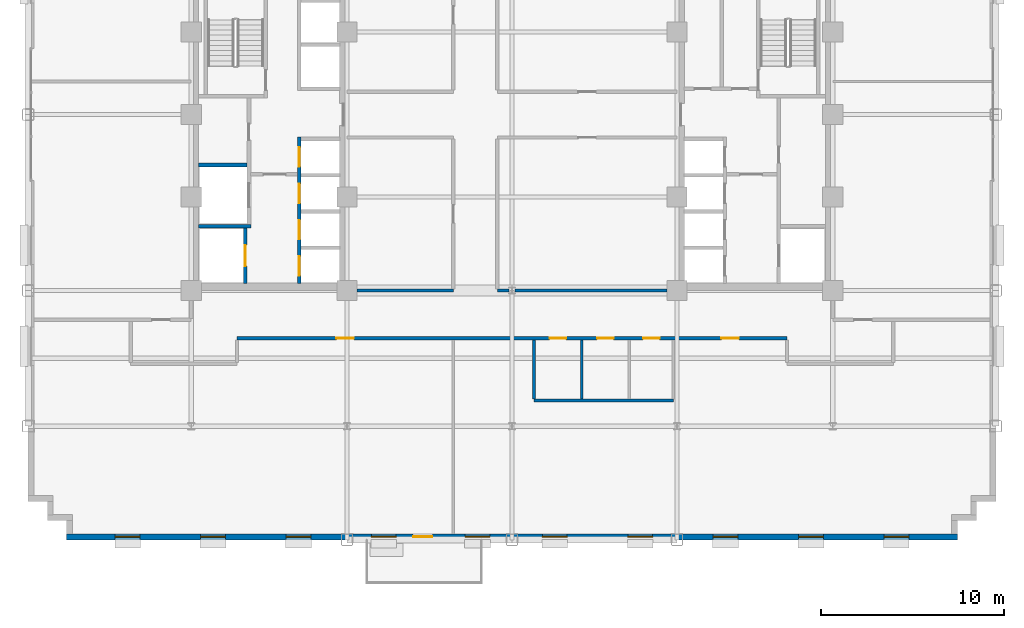
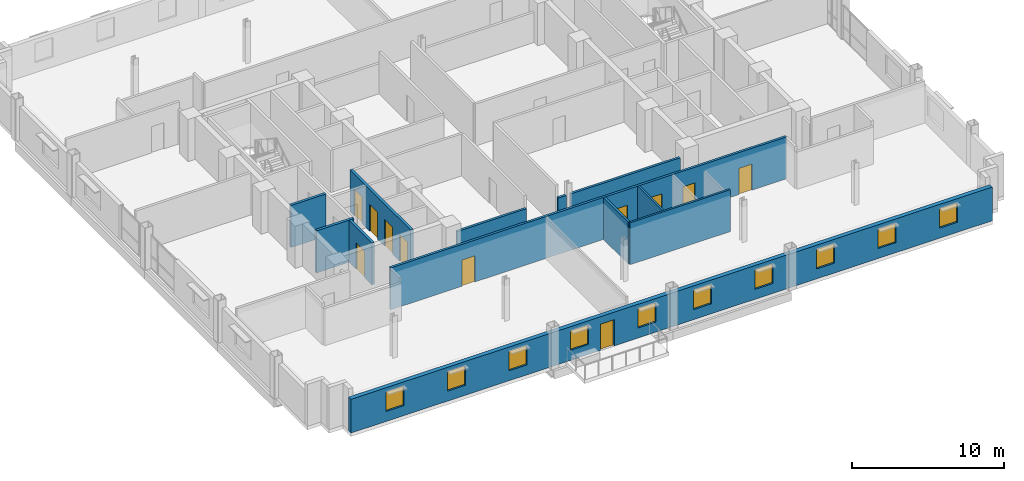
# One storey, part 6 of 17: 12 walls, 11 doors, 10 windows, 21 openings.
"""IFC4 building model written with IfcOpenShell, lengths in metres."""

import ifcopenshell
import ifcopenshell.guid

model = None  # the IFC model being written
_history = None  # IfcOwnerHistory: only IFC2X3 demands one
_inside = {}  # id of a spatial element -> (the spatial element, [elements in it])
_under = {}  # id of a project, library or spatial element -> (it, [spatial elements below it])
_declared = {}  # id of a project -> (the project, [libraries it declares])
_typed = {}  # id of a type object -> (the type object, [elements of that type])
_made_of = {}  # id of a material, layer set ... -> (it, [elements and type objects made of it])


def new_model(schema):
    """Start an empty IFC model of exactly this schema.

    Asked for "IFC4X3", IfcOpenShell would pick the latest addendum, in which some entities
    have other attributes; the version numbers below select the first issue.
    IFC2X3 requires an IfcOwnerHistory on every rooted entity: one is made here for all.
    """
    global model, _history
    if schema == "IFC4X3":
        model = ifcopenshell.file(schema_version=(4, 3, 0, 0))
    else:
        model = ifcopenshell.file(schema=schema)
    _inside.clear()
    _under.clear()
    _declared.clear()
    _typed.clear()
    _made_of.clear()
    _history = None
    if model.schema == "IFC2X3":
        org = make("IfcOrganization", Name="unknown")
        user = make(
            "IfcPersonAndOrganization",
            ThePerson=make("IfcPerson", FamilyName="unknown"),
            TheOrganization=org,
        )
        app = make(
            "IfcApplication",
            ApplicationDeveloper=org,
            Version="unknown",
            ApplicationFullName="unknown",
            ApplicationIdentifier="unknown",
        )
        _history = make(
            "IfcOwnerHistory",
            OwningUser=user,
            OwningApplication=app,
            ChangeAction="ADDED",
            CreationDate=0,
        )
    return model


def make(cls, **values):
    """One entity of the class cls with the attributes given. An attribute that is None is left unset."""
    return model.create_entity(
        cls, **{name: value for name, value in values.items() if value is not None}
    )


def rooted(cls, **values):
    """An entity with a GlobalId (a new one), such as an element, a storey or a relation."""
    return make(cls, GlobalId=ifcopenshell.guid.new(), OwnerHistory=_history, **values)


def si_unit(unit_type, name, prefix=None):
    """IfcSIUnit, for example si_unit("LENGTHUNIT", "METRE", prefix="MILLI")."""
    return make("IfcSIUnit", UnitType=unit_type, Prefix=prefix, Name=name)


def assignment(units):
    """IfcUnitAssignment: the units of a project."""
    return None if units is None else make("IfcUnitAssignment", Units=units)


def point(xyz):
    """IfcCartesianPoint."""
    return None if xyz is None else make("IfcCartesianPoint", Coordinates=xyz)


def direction(xyz):
    """IfcDirection."""
    return None if xyz is None else make("IfcDirection", DirectionRatios=xyz)


def frame(location, z_axis=None, x_axis=None):
    """IfcAxis2Placement3D, a coordinate frame: its origin and axes. An axis left out is left unset."""
    return make(
        "IfcAxis2Placement3D",
        Location=point(location),
        Axis=direction(z_axis),
        RefDirection=direction(x_axis),
    )


def frame_2d(location, x_axis=None):
    """IfcAxis2Placement2D, a coordinate frame in the plane: its origin and x axis."""
    return make(
        "IfcAxis2Placement2D", Location=point(location), RefDirection=direction(x_axis)
    )


def origin():
    """The frame at (0, 0, 0) with its axes left unset."""
    return frame((0.0, 0.0, 0.0))


def place(relative_to, where):
    """IfcLocalPlacement: puts the frame where relative to a parent placement (None: the world)."""
    return make(
        "IfcLocalPlacement", PlacementRelTo=relative_to, RelativePlacement=where
    )


def context(
    kind, dimensions, precision=None, world=None, true_north=None, identifier=None
):
    """IfcGeometricRepresentationContext, for example the 3D "Model" context."""
    return make(
        "IfcGeometricRepresentationContext",
        ContextIdentifier=identifier,
        ContextType=kind,
        CoordinateSpaceDimension=dimensions,
        Precision=precision,
        WorldCoordinateSystem=world,
        TrueNorth=true_north,
    )


def subcontext(parent, identifier, kind, view, scale=None):
    """IfcGeometricRepresentationSubContext, for example "Body" below "Model"."""
    return make(
        "IfcGeometricRepresentationSubContext",
        ContextIdentifier=identifier,
        ContextType=kind,
        ParentContext=parent,
        TargetScale=scale,
        TargetView=view,
    )


def project(units=None, contexts=None):
    """IfcProject with its units and contexts."""
    return rooted(
        "IfcProject",
        Name="project",
        RepresentationContexts=contexts,
        UnitsInContext=assignment(units),
    )


def spatial(cls, under=None, at=None, **own):
    """A site, building, storey or space (cls), placed at a placement, below another one or the project."""
    s = rooted(cls, ObjectPlacement=at, **own)
    if under is not None:
        _under.setdefault(under.id(), (under, []))[1].append(s)
    return s


def profile(cls, at=None, kind="AREA", **sizes):
    """A parametric profile (cls). Its sizes go by their IFC names, for example OverallWidth=200.0."""
    return make(cls, ProfileType=kind, Position=at, **sizes)


def rectangle(**sizes):
    """IfcRectangleProfileDef."""
    return profile("IfcRectangleProfileDef", **sizes)


def extrude(swept, where, along, depth):
    """IfcExtrudedAreaSolid: the profile swept, set in the frame where, extruded along a direction by depth."""
    return make(
        "IfcExtrudedAreaSolid",
        SweptArea=swept,
        Position=where,
        ExtrudedDirection=direction(along),
        Depth=depth,
    )


def shape(context_of_items, identifier, shape_type, items):
    """IfcShapeRepresentation: the items that make up one representation, for example the "Body"."""
    return make(
        "IfcShapeRepresentation",
        ContextOfItems=context_of_items,
        RepresentationIdentifier=identifier,
        RepresentationType=shape_type,
        Items=items,
    )


def source(mapping_origin, context_of_items, identifier, shape_type, items):
    """IfcRepresentationMap: a shape defined once, which mapped items show again and again."""
    return make(
        "IfcRepresentationMap",
        MappingOrigin=mapping_origin,
        MappedRepresentation=shape(context_of_items, identifier, shape_type, items),
    )


def transform(
    local_origin,
    x_axis=None,
    y_axis=None,
    z_axis=None,
    scale=None,
    scale2=None,
    scale3=None,
    uniform=True,
):
    """IfcCartesianTransformationOperator3D, or its non-uniform kind. x_axis, y_axis, z_axis: its Axis1, 2, 3."""
    if uniform:
        return make(
            "IfcCartesianTransformationOperator3D",
            Axis1=direction(x_axis),
            Axis2=direction(y_axis),
            LocalOrigin=point(local_origin),
            Scale=scale,
            Axis3=direction(z_axis),
        )
    return make(
        "IfcCartesianTransformationOperator3DnonUniform",
        Axis1=direction(x_axis),
        Axis2=direction(y_axis),
        LocalOrigin=point(local_origin),
        Scale=scale,
        Axis3=direction(z_axis),
        Scale2=scale2,
        Scale3=scale3,
    )


def mapped(mapping_source, mapping_target):
    """IfcMappedItem: shows the shape of a source again, moved by a transform."""
    return make(
        "IfcMappedItem", MappingSource=mapping_source, MappingTarget=mapping_target
    )


def material(Name=None, Category=None):
    """IfcMaterial."""
    return make("IfcMaterial", Name=Name, Category=Category)


def layer(
    of_material, thickness, ventilated=None, Name=None, Category=None, Priority=None
):
    """IfcMaterialLayer: one layer of a wall or slab, of a material (None: an air gap)."""
    return make(
        "IfcMaterialLayer",
        Material=of_material,
        LayerThickness=thickness,
        IsVentilated=ventilated,
        Name=Name,
        Category=Category,
        Priority=Priority,
    )


def layer_set(layers, Name=None):
    """IfcMaterialLayerSet."""
    return make("IfcMaterialLayerSet", MaterialLayers=layers, LayerSetName=Name)


def made_of(thing, what):
    """Note that an element or type object is made of a material, layer set ...; save() writes the relation."""
    if what is not None:
        _made_of.setdefault(what.id(), (what, []))[1].append(thing)
    return thing


def type_object(cls, material=None, **own):
    """A type object (cls), such as IfcWallType, which elements share."""
    return made_of(rooted(cls, **own), material)


def type_shapes(of_type, sources):
    """Give a type object the sources (RepresentationMaps) that its elements show as mapped items."""
    of_type.RepresentationMaps = sources


def element(
    cls,
    number,
    at=None,
    inside=None,
    cuts=None,
    type_object=None,
    material=None,
    context=None,
    identifier="Body",
    shape_type=None,
    held_by="IfcProductDefinitionShape",
    body=None,
    shapes=None,
    **own,
):
    """One element of the class cls, such as IfcWall. Its Tag is "e" and its number.

    at: its placement. inside: the storey or other place that contains it. cuts: it is an
    opening in that element (IfcRelVoidsElement). A single representation is given by context,
    identifier, shape_type and body (its items); several are given by shapes. held_by: the class
    of the entity that holds the representations. save() writes the other relations.
    """
    e = rooted(cls, Tag="e%d" % number, ObjectPlacement=at, **own)
    if body is not None:
        shapes = [shape(context, identifier, shape_type, body)]
    if shapes is not None:
        e.Representation = make(held_by, Representations=shapes)
    if inside is not None:
        _inside.setdefault(inside.id(), (inside, []))[1].append(e)
    if cuts is not None:
        rooted(
            "IfcRelVoidsElement", RelatingBuildingElement=cuts, RelatedOpeningElement=e
        )
    if type_object is not None:
        _typed.setdefault(type_object.id(), (type_object, []))[1].append(e)
    return made_of(e, material)


def fill(opening, filler):
    """IfcRelFillsElement: the door or window that sits in an opening."""
    return rooted(
        "IfcRelFillsElement",
        RelatingOpeningElement=opening,
        RelatedBuildingElement=filler,
    )


def aggregate(whole, parts):
    """IfcRelAggregates: a whole, such as a stair, and the parts it consists of."""
    return rooted("IfcRelAggregates", RelatingObject=whole, RelatedObjects=parts)


def save(model, path):
    """Write the relations noted so far, then the file.

    IfcRelAggregates (storeys below a building ...), IfcRelContainedInSpatialStructure (elements
    in a storey), IfcRelDefinesByType, IfcRelAssociatesMaterial and IfcRelDeclares: one each for
    every whole, place, type object, material and project.
    """
    for whole, parts in _under.values():
        aggregate(whole, parts)
    for where, things in _inside.values():
        rooted(
            "IfcRelContainedInSpatialStructure",
            RelatedElements=things,
            RelatingStructure=where,
        )
    for kind, things in _typed.values():
        rooted("IfcRelDefinesByType", RelatedObjects=things, RelatingType=kind)
    for what, things in _made_of.values():
        rooted("IfcRelAssociatesMaterial", RelatedObjects=things, RelatingMaterial=what)
    for by, libraries in _declared.values():
        rooted("IfcRelDeclares", RelatingContext=by, RelatedDefinitions=libraries)
    model.write(path)


model = new_model("IFC4")

# Units and contexts
model_context = context("Model", 3, precision=1e-05, world=origin(), true_north=direction((0.0, 1.0)))
body_context = subcontext(model_context, "Body", "Model", "MODEL_VIEW")
ifc_project = project(units=[si_unit("LENGTHUNIT", "METRE"), si_unit("AREAUNIT", "SQUARE_METRE"), si_unit("VOLUMEUNIT", "CUBIC_METRE"), si_unit("PLANEANGLEUNIT", "RADIAN"), si_unit("MASSUNIT", "GRAM", prefix="KILO")], contexts=[model_context])

# Site, building, storey
site_placement = place(None, origin())
site = spatial("IfcSite", under=ifc_project, at=site_placement, CompositionType="ELEMENT")
building_placement = place(site_placement, origin())
building = spatial("IfcBuilding", under=site, at=building_placement, Name="Nuvemarco Arch Tower", CompositionType="ELEMENT")
storey_placement = place(building_placement, frame((0.0, 0.0, 120.199951171875)))
storey = spatial("IfcBuildingStorey", under=building, at=storey_placement, Name="L31", CompositionType="ELEMENT", Elevation=120.199951171875)

# Wall, openings, door, windows
ifc_material_1 = material(Name="Precast concrete C45/55", Category="concrete")
ifc_layer_1 = layer(ifc_material_1, 0.320068359375, Name="EW-MID-320")
ifc_layer_set_1 = layer_set([ifc_layer_1], Name="Precast concrete C45/55")
wall_type_1 = type_object("IfcWallType", Name="EW-MID-320", PredefinedType="STANDARD", material=ifc_layer_set_1)
wall_1_placement = place(storey_placement, frame((-24.300048828125, -23.0400390625, 0.0), z_axis=(0.0, 0.0, 1.0), x_axis=(1.0, 0.0, 0.0)))
wall_1 = element("IfcWall", 1, at=wall_1_placement, inside=storey, type_object=wall_type_1, Name="L31 exterior precast facade wall 1", PredefinedType="STANDARD", context=body_context, shape_type="SweptSolid", body=[
    extrude(rectangle(XDim=48.60009765625, YDim=0.320068359375, at=frame_2d((24.300048828125, 0.0))), origin(), (0.0, 0.0, 1.0), 2.705078125),
])
opening_1_placement = place(wall_1_placement, frame((19.949951171875, 0.0, 0.0), z_axis=(0.0, 0.0, 1.0), x_axis=(-1.0, 0.0, 0.0)))
opening_1 = element("IfcOpeningElement", 2, at=opening_1_placement, cuts=wall_1, Name="Opening ED-5", PredefinedType="OPENING", context=body_context, shape_type="SweptSolid", body=[
    extrude(rectangle(XDim=1.050048828125, YDim=2.10009765625, at=frame_2d((0.52490234375, 1.050048828125))), frame((0.0, 0.169921875, 0.0), z_axis=(0.0, -1.0, 0.0), x_axis=(1.0, 0.0, 0.0)), (0.0, 0.0, 1.0), 0.340087890625),
])
opening_2_placement = place(wall_1_placement, frame((2.655029296875, 0.0, 0.800048828125)))
opening_2 = element("IfcOpeningElement", 3, at=opening_2_placement, cuts=wall_1, Name="Opening WN-6", PredefinedType="OPENING", context=body_context, shape_type="SweptSolid", body=[
    extrude(rectangle(XDim=1.35009765625, YDim=1.56005859375, at=frame_2d((0.675048828125, 0.780029296875))), frame((0.0, 0.169921875, 0.0), z_axis=(0.0, -1.0, 0.0), x_axis=(1.0, 0.0, 0.0)), (0.0, 0.0, 1.0), 0.340087890625),
])
opening_3_placement = place(wall_1_placement, frame((7.31494140625, 0.0, 0.800048828125)))
opening_3 = element("IfcOpeningElement", 4, at=opening_3_placement, cuts=wall_1, Name="Opening WN-6", PredefinedType="OPENING", context=body_context, shape_type="SweptSolid", body=[
    extrude(rectangle(XDim=1.35009765625, YDim=1.56005859375, at=frame_2d((0.675048828125, 0.780029296875))), frame((0.0, 0.169921875, 0.0), z_axis=(0.0, -1.0, 0.0), x_axis=(1.0, 0.0, 0.0)), (0.0, 0.0, 1.0), 0.340087890625),
])
opening_4_placement = place(wall_1_placement, frame((11.97509765625, 0.0, 0.800048828125)))
opening_4 = element("IfcOpeningElement", 5, at=opening_4_placement, cuts=wall_1, Name="Opening WN-6", PredefinedType="OPENING", context=body_context, shape_type="SweptSolid", body=[
    extrude(rectangle(XDim=1.35009765625, YDim=1.56005859375, at=frame_2d((0.675048828125, 0.780029296875))), frame((0.0, 0.169921875, 0.0), z_axis=(0.0, -1.0, 0.0), x_axis=(1.0, 0.0, 0.0)), (0.0, 0.0, 1.0), 0.340087890625),
])
opening_5_placement = place(wall_1_placement, frame((16.635009765625, 0.0, 0.800048828125)))
opening_5 = element("IfcOpeningElement", 6, at=opening_5_placement, cuts=wall_1, Name="Opening WN-6", PredefinedType="OPENING", context=body_context, shape_type="SweptSolid", body=[
    extrude(rectangle(XDim=1.35009765625, YDim=1.56005859375, at=frame_2d((0.675048828125, 0.780029296875))), frame((0.0, 0.169921875, 0.0), z_axis=(0.0, -1.0, 0.0), x_axis=(1.0, 0.0, 0.0)), (0.0, 0.0, 1.0), 0.340087890625),
])
opening_6_placement = place(wall_1_placement, frame((21.7451171875, 0.0, 0.800048828125)))
opening_6 = element("IfcOpeningElement", 7, at=opening_6_placement, cuts=wall_1, Name="Opening WN-6", PredefinedType="OPENING", context=body_context, shape_type="SweptSolid", body=[
    extrude(rectangle(XDim=1.35009765625, YDim=1.56005859375, at=frame_2d((0.675048828125, 0.780029296875))), frame((0.0, 0.169921875, 0.0), z_axis=(0.0, -1.0, 0.0), x_axis=(1.0, 0.0, 0.0)), (0.0, 0.0, 1.0), 0.340087890625),
])
opening_7_placement = place(wall_1_placement, frame((25.955078125, 0.0, 0.800048828125)))
opening_7 = element("IfcOpeningElement", 8, at=opening_7_placement, cuts=wall_1, Name="Opening WN-6", PredefinedType="OPENING", context=body_context, shape_type="SweptSolid", body=[
    extrude(rectangle(XDim=1.35009765625, YDim=1.56005859375, at=frame_2d((0.675048828125, 0.780029296875))), frame((0.0, 0.169921875, 0.0), z_axis=(0.0, -1.0, 0.0), x_axis=(1.0, 0.0, 0.0)), (0.0, 0.0, 1.0), 0.340087890625),
])
opening_8_placement = place(wall_1_placement, frame((30.614990234375, 0.0, 0.800048828125)))
opening_8 = element("IfcOpeningElement", 9, at=opening_8_placement, cuts=wall_1, Name="Opening WN-6", PredefinedType="OPENING", context=body_context, shape_type="SweptSolid", body=[
    extrude(rectangle(XDim=1.35009765625, YDim=1.56005859375, at=frame_2d((0.675048828125, 0.780029296875))), frame((0.0, 0.169921875, 0.0), z_axis=(0.0, -1.0, 0.0), x_axis=(1.0, 0.0, 0.0)), (0.0, 0.0, 1.0), 0.340087890625),
])
opening_9_placement = place(wall_1_placement, frame((35.27490234375, 0.0, 0.800048828125)))
opening_9 = element("IfcOpeningElement", 10, at=opening_9_placement, cuts=wall_1, Name="Opening WN-6", PredefinedType="OPENING", context=body_context, shape_type="SweptSolid", body=[
    extrude(rectangle(XDim=1.35009765625, YDim=1.56005859375, at=frame_2d((0.675048828125, 0.780029296875))), frame((0.0, 0.169921875, 0.0), z_axis=(0.0, -1.0, 0.0), x_axis=(1.0, 0.0, 0.0)), (0.0, 0.0, 1.0), 0.340087890625),
])
opening_10_placement = place(wall_1_placement, frame((39.93505859375, 0.0, 0.800048828125)))
opening_10 = element("IfcOpeningElement", 11, at=opening_10_placement, cuts=wall_1, Name="Opening WN-6", PredefinedType="OPENING", context=body_context, shape_type="SweptSolid", body=[
    extrude(rectangle(XDim=1.35009765625, YDim=1.56005859375, at=frame_2d((0.675048828125, 0.780029296875))), frame((0.0, 0.169921875, 0.0), z_axis=(0.0, -1.0, 0.0), x_axis=(1.0, 0.0, 0.0)), (0.0, 0.0, 1.0), 0.340087890625),
])
opening_11_placement = place(wall_1_placement, frame((44.594970703125, 0.0, 0.800048828125)))
opening_11 = element("IfcOpeningElement", 12, at=opening_11_placement, cuts=wall_1, Name="Opening WN-6", PredefinedType="OPENING", context=body_context, shape_type="SweptSolid", body=[
    extrude(rectangle(XDim=1.35009765625, YDim=1.56005859375, at=frame_2d((0.675048828125, 0.780029296875))), frame((0.0, 0.169921875, 0.0), z_axis=(0.0, -1.0, 0.0), x_axis=(1.0, 0.0, 0.0)), (0.0, 0.0, 1.0), 0.340087890625),
])
ifc_material_2 = material(Name="Anodised bronze and laminated glass", Category="glass")
door_type_1 = type_object("IfcDoorType", Name="DR-EXT-TERR", OperationType="NOTDEFINED", PredefinedType="DOOR", material=ifc_material_2)
shared_shape_1 = source(origin(), body_context, "Body", "SweptSolid", [
    extrude(rectangle(XDim=1.050048828125, YDim=2.10009765625, at=frame_2d((0.52490234375, 1.050048828125))), frame((0.0, 0.02490234375, 0.0), z_axis=(0.0, -1.0, 0.0), x_axis=(1.0, 0.0, 0.0)), (0.0, 0.0, 1.0), 0.050048828125),
])
type_shapes(door_type_1, [shared_shape_1])
door_1_placement = place(opening_1_placement, origin())
door_1 = element("IfcDoor", 13, at=door_1_placement, inside=storey, type_object=door_type_1, Name="L31 spiral terrace access door", OperationType="SINGLE_SWING_LEFT", OverallHeight=2.10009765625, OverallWidth=1.050048828125, PredefinedType="DOOR", context=body_context, shape_type="MappedRepresentation", body=[
    mapped(shared_shape_1, transform((0.0, 0.0, 0.0), scale=1.0)),
])
fill(opening_1, door_1)
ifc_material_3 = material(Name="Insulated solar-control glass", Category="glass")
window_type = type_object("IfcWindowType", Name="WN-MID-1350x1560", PartitioningType="SINGLE_PANEL", PredefinedType="WINDOW", material=ifc_material_3)
shared_shape_2 = source(origin(), body_context, "Body", "SweptSolid", [
    extrude(rectangle(XDim=1.35009765625, YDim=1.56005859375, at=frame_2d((0.675048828125, 0.780029296875))), frame((0.0, 0.030029296875, 0.0), z_axis=(0.0, -1.0, 0.0), x_axis=(1.0, 0.0, 0.0)), (0.0, 0.0, 1.0), 0.06005859375),
])
type_shapes(window_type, [shared_shape_2])
window_1_placement = place(opening_2_placement, origin())
window_1 = element("IfcWindow", 14, at=window_1_placement, inside=storey, type_object=window_type, Name="L31 punched facade window 1", OverallHeight=1.56005859375, OverallWidth=1.35009765625, PartitioningType="SINGLE_PANEL", PredefinedType="WINDOW", context=body_context, shape_type="MappedRepresentation", body=[
    mapped(shared_shape_2, transform((0.0, 0.0, 0.0), scale=1.0)),
])
fill(opening_2, window_1)
window_2_placement = place(opening_3_placement, origin())
window_2 = element("IfcWindow", 15, at=window_2_placement, inside=storey, type_object=window_type, Name="L31 punched facade window 2", OverallHeight=1.56005859375, OverallWidth=1.35009765625, PartitioningType="SINGLE_PANEL", PredefinedType="WINDOW", context=body_context, shape_type="MappedRepresentation", body=[
    mapped(shared_shape_2, transform((0.0, 0.0, 0.0), scale=1.0)),
])
fill(opening_3, window_2)
window_3_placement = place(opening_4_placement, origin())
window_3 = element("IfcWindow", 16, at=window_3_placement, inside=storey, type_object=window_type, Name="L31 punched facade window 3", OverallHeight=1.56005859375, OverallWidth=1.35009765625, PartitioningType="SINGLE_PANEL", PredefinedType="WINDOW", context=body_context, shape_type="MappedRepresentation", body=[
    mapped(shared_shape_2, transform((0.0, 0.0, 0.0), scale=1.0)),
])
fill(opening_4, window_3)
window_4_placement = place(opening_5_placement, origin())
window_4 = element("IfcWindow", 17, at=window_4_placement, inside=storey, type_object=window_type, Name="L31 punched facade window 4", OverallHeight=1.56005859375, OverallWidth=1.35009765625, PartitioningType="SINGLE_PANEL", PredefinedType="WINDOW", context=body_context, shape_type="MappedRepresentation", body=[
    mapped(shared_shape_2, transform((0.0, 0.0, 0.0), scale=1.0)),
])
fill(opening_5, window_4)
window_5_placement = place(opening_6_placement, origin())
window_5 = element("IfcWindow", 18, at=window_5_placement, inside=storey, type_object=window_type, Name="L31 punched facade window 5", OverallHeight=1.56005859375, OverallWidth=1.35009765625, PartitioningType="SINGLE_PANEL", PredefinedType="WINDOW", context=body_context, shape_type="MappedRepresentation", body=[
    mapped(shared_shape_2, transform((0.0, 0.0, 0.0), scale=1.0)),
])
fill(opening_6, window_5)
window_6_placement = place(opening_7_placement, origin())
window_6 = element("IfcWindow", 19, at=window_6_placement, inside=storey, type_object=window_type, Name="L31 punched facade window 6", OverallHeight=1.56005859375, OverallWidth=1.35009765625, PartitioningType="SINGLE_PANEL", PredefinedType="WINDOW", context=body_context, shape_type="MappedRepresentation", body=[
    mapped(shared_shape_2, transform((0.0, 0.0, 0.0), scale=1.0)),
])
fill(opening_7, window_6)
window_7_placement = place(opening_8_placement, origin())
window_7 = element("IfcWindow", 20, at=window_7_placement, inside=storey, type_object=window_type, Name="L31 punched facade window 7", OverallHeight=1.56005859375, OverallWidth=1.35009765625, PartitioningType="SINGLE_PANEL", PredefinedType="WINDOW", context=body_context, shape_type="MappedRepresentation", body=[
    mapped(shared_shape_2, transform((0.0, 0.0, 0.0), scale=1.0)),
])
fill(opening_8, window_7)
window_8_placement = place(opening_9_placement, origin())
window_8 = element("IfcWindow", 21, at=window_8_placement, inside=storey, type_object=window_type, Name="L31 punched facade window 8", OverallHeight=1.56005859375, OverallWidth=1.35009765625, PartitioningType="SINGLE_PANEL", PredefinedType="WINDOW", context=body_context, shape_type="MappedRepresentation", body=[
    mapped(shared_shape_2, transform((0.0, 0.0, 0.0), scale=1.0)),
])
fill(opening_9, window_8)
window_9_placement = place(opening_10_placement, origin())
window_9 = element("IfcWindow", 22, at=window_9_placement, inside=storey, type_object=window_type, Name="L31 punched facade window 9", OverallHeight=1.56005859375, OverallWidth=1.35009765625, PartitioningType="SINGLE_PANEL", PredefinedType="WINDOW", context=body_context, shape_type="MappedRepresentation", body=[
    mapped(shared_shape_2, transform((0.0, 0.0, 0.0), scale=1.0)),
])
fill(opening_10, window_9)
window_10_placement = place(opening_11_placement, origin())
window_10 = element("IfcWindow", 23, at=window_10_placement, inside=storey, type_object=window_type, Name="L31 punched facade window 10", OverallHeight=1.56005859375, OverallWidth=1.35009765625, PartitioningType="SINGLE_PANEL", PredefinedType="WINDOW", context=body_context, shape_type="MappedRepresentation", body=[
    mapped(shared_shape_2, transform((0.0, 0.0, 0.0), scale=1.0)),
])
fill(opening_11, window_10)

# Wall, openings, doors
ifc_material_4 = material(Name="Fire-rated gypsum drywall partition")
ifc_layer_2 = layer(ifc_material_4, 0.179931640625, Name="WL-CORR-180")
ifc_layer_set_2 = layer_set([ifc_layer_2], Name="Fire-rated gypsum drywall partition")
wall_type_2 = type_object("IfcWallType", Name="WL-CORR-180", PredefinedType="PARTITIONING", material=ifc_layer_set_2)
wall_2_placement = place(storey_placement, frame((-15.0, -12.199951171875, 0.0), z_axis=(0.0, 0.0, 1.0), x_axis=(1.0, 0.0, 0.0)))
wall_2 = element("IfcWall", 24, at=wall_2_placement, inside=storey, type_object=wall_type_2, Name="L31 interior wall IW-L31-004", PredefinedType="PARTITIONING", context=body_context, shape_type="SweptSolid", body=[
    extrude(rectangle(XDim=30.0, YDim=0.179931640625, at=frame_2d((15.0, 0.0))), origin(), (0.0, 0.0, 1.0), 3.360107421875),
])
opening_12_placement = place(wall_2_placement, frame((5.419921875, 0.0, 0.0)))
opening_12 = element("IfcOpeningElement", 25, at=opening_12_placement, cuts=wall_2, Name="Opening FD-5", PredefinedType="OPENING", context=body_context, shape_type="SweptSolid", body=[
    extrude(rectangle(XDim=0.9599609375, YDim=2.10009765625, at=frame_2d((0.47998046875, 1.050048828125))), frame((0.0, 0.099853515625, 0.0), z_axis=(0.0, -1.0, 0.0), x_axis=(1.0, 0.0, 0.0)), (0.0, 0.0, 1.0), 0.199951171875),
])
opening_13_placement = place(wall_2_placement, frame((26.419921875, 0.0, 0.0)))
opening_13 = element("IfcOpeningElement", 26, at=opening_13_placement, cuts=wall_2, Name="Opening FD-5", PredefinedType="OPENING", context=body_context, shape_type="SweptSolid", body=[
    extrude(rectangle(XDim=0.9599609375, YDim=2.10009765625, at=frame_2d((0.47998046875, 1.050048828125))), frame((0.0, 0.099853515625, 0.0), z_axis=(0.0, -1.0, 0.0), x_axis=(1.0, 0.0, 0.0)), (0.0, 0.0, 1.0), 0.199951171875),
])
opening_14_placement = place(wall_2_placement, frame((19.64990234375, 0.0, 0.0)))
opening_14 = element("IfcOpeningElement", 27, at=opening_14_placement, cuts=wall_2, Name="Opening ID-3", PredefinedType="OPENING", context=body_context, shape_type="SweptSolid", body=[
    extrude(rectangle(XDim=0.89990234375, YDim=2.10009765625, at=frame_2d((0.449951171875, 1.050048828125))), frame((0.0, 0.099853515625, 0.0), z_axis=(0.0, -1.0, 0.0), x_axis=(1.0, 0.0, 0.0)), (0.0, 0.0, 1.0), 0.199951171875),
])
opening_15_placement = place(wall_2_placement, frame((17.050048828125, 0.0, 0.0)))
opening_15 = element("IfcOpeningElement", 28, at=opening_15_placement, cuts=wall_2, Name="Opening ID-3", PredefinedType="OPENING", context=body_context, shape_type="SweptSolid", body=[
    extrude(rectangle(XDim=0.89990234375, YDim=2.10009765625, at=frame_2d((0.449951171875, 1.050048828125))), frame((0.0, 0.099853515625, 0.0), z_axis=(0.0, -1.0, 0.0), x_axis=(1.0, 0.0, 0.0)), (0.0, 0.0, 1.0), 0.199951171875),
])
opening_16_placement = place(wall_2_placement, frame((22.14990234375, 0.0, 0.0)))
opening_16 = element("IfcOpeningElement", 29, at=opening_16_placement, cuts=wall_2, Name="Opening ID-3", PredefinedType="OPENING", context=body_context, shape_type="SweptSolid", body=[
    extrude(rectangle(XDim=0.89990234375, YDim=2.10009765625, at=frame_2d((0.449951171875, 1.050048828125))), frame((0.0, 0.099853515625, 0.0), z_axis=(0.0, -1.0, 0.0), x_axis=(1.0, 0.0, 0.0)), (0.0, 0.0, 1.0), 0.199951171875),
])
ifc_material_5 = material(Name="Timber fire door", Category="wood")
door_type_2 = type_object("IfcDoorType", Name="DR-CORR-FD", OperationType="NOTDEFINED", PredefinedType="DOOR", material=ifc_material_5)
shared_shape_3 = source(origin(), body_context, "Body", "SweptSolid", [
    extrude(rectangle(XDim=0.9599609375, YDim=2.10009765625, at=frame_2d((0.47998046875, 1.050048828125))), frame((0.0, 0.02490234375, 0.0), z_axis=(0.0, -1.0, 0.0), x_axis=(1.0, 0.0, 0.0)), (0.0, 0.0, 1.0), 0.050048828125),
])
type_shapes(door_type_2, [shared_shape_3])
door_2_placement = place(opening_12_placement, origin())
door_2 = element("IfcDoor", 30, at=door_2_placement, inside=storey, type_object=door_type_2, Name="L31 door DR-L31-SKY_LOUNGE", OperationType="SINGLE_SWING_LEFT", OverallHeight=2.10009765625, OverallWidth=0.9599609375, PredefinedType="DOOR", context=body_context, shape_type="MappedRepresentation", body=[
    mapped(shared_shape_3, transform((0.0, 0.0, 0.0), scale=1.0)),
])
fill(opening_12, door_2)
door_3_placement = place(opening_13_placement, origin())
door_3 = element("IfcDoor", 31, at=door_3_placement, inside=storey, type_object=door_type_2, Name="L31 door DR-L31-SKY_CONF", OperationType="SINGLE_SWING_RIGHT", OverallHeight=2.10009765625, OverallWidth=0.9599609375, PredefinedType="DOOR", context=body_context, shape_type="MappedRepresentation", body=[
    mapped(shared_shape_3, transform((0.0, 0.0, 0.0), scale=1.0)),
])
fill(opening_13, door_3)
ifc_material_6 = material(Name="Veneered oak timber fire door", Category="wood")
door_type_3 = type_object("IfcDoorType", Name="DR-WC-ACC", OperationType="NOTDEFINED", PredefinedType="DOOR", material=ifc_material_6)
shared_shape_4 = source(origin(), body_context, "Body", "SweptSolid", [
    extrude(rectangle(XDim=0.89990234375, YDim=2.10009765625, at=frame_2d((0.449951171875, 1.050048828125))), frame((0.0, 0.02490234375, 0.0), z_axis=(0.0, -1.0, 0.0), x_axis=(1.0, 0.0, 0.0)), (0.0, 0.0, 1.0), 0.050048828125),
])
type_shapes(door_type_3, [shared_shape_4])
door_4_placement = place(opening_14_placement, origin())
door_4 = element("IfcDoor", 32, at=door_4_placement, inside=storey, type_object=door_type_3, Name="L31 door DR-L31-WC_F", OperationType="SINGLE_SWING_LEFT", OverallHeight=2.10009765625, OverallWidth=0.89990234375, PredefinedType="DOOR", context=body_context, shape_type="MappedRepresentation", body=[
    mapped(shared_shape_4, transform((0.0, 0.0, 0.0), scale=1.0)),
])
fill(opening_14, door_4)
door_5_placement = place(opening_15_placement, origin())
door_5 = element("IfcDoor", 33, at=door_5_placement, inside=storey, type_object=door_type_3, Name="L31 door DR-L31-WC_M", OperationType="SINGLE_SWING_RIGHT", OverallHeight=2.10009765625, OverallWidth=0.89990234375, PredefinedType="DOOR", context=body_context, shape_type="MappedRepresentation", body=[
    mapped(shared_shape_4, transform((0.0, 0.0, 0.0), scale=1.0)),
])
fill(opening_15, door_5)
door_6_placement = place(opening_16_placement, origin())
door_6 = element("IfcDoor", 34, at=door_6_placement, inside=storey, type_object=door_type_3, Name="L31 door DR-L31-WC_ACC", OperationType="SINGLE_SWING_LEFT", OverallHeight=2.10009765625, OverallWidth=0.89990234375, PredefinedType="DOOR", context=body_context, shape_type="MappedRepresentation", body=[
    mapped(shared_shape_4, transform((0.0, 0.0, 0.0), scale=1.0)),
])
fill(opening_16, door_6)

# Walls
wall_3_placement = place(storey_placement, frame((-8.4541015625, -9.60009765625, 0.0), z_axis=(0.0, 0.0, 1.0), x_axis=(1.0, 0.0, 0.0)))
element("IfcWall", 35, at=wall_3_placement, inside=storey, type_object=wall_type_2, Name="L31 interior wall IW-L31-007", PredefinedType="PARTITIONING", context=body_context, shape_type="SweptSolid", body=[
    extrude(rectangle(XDim=5.254150390625, YDim=0.179931640625, at=frame_2d((2.626953125, 0.0))), origin(), (0.0, 0.0, 1.0), 2.405029296875),
])
wall_4_placement = place(storey_placement, frame((-0.800048828125, -9.60009765625, 0.0), z_axis=(0.0, 0.0, 1.0), x_axis=(1.0, 0.0, 0.0)))
element("IfcWall", 36, at=wall_4_placement, inside=storey, type_object=wall_type_2, Name="L31 interior wall IW-L31-008", PredefinedType="PARTITIONING", context=body_context, shape_type="SweptSolid", body=[
    extrude(rectangle(XDim=0.6240234375, YDim=0.179931640625, at=frame_2d((0.31201171875, 0.0))), origin(), (0.0, 0.0, 1.0), 2.405029296875),
])
wall_5_placement = place(storey_placement, frame((0.176025390625, -9.60009765625, 0.0), z_axis=(0.0, 0.0, 1.0), x_axis=(1.0, 0.0, 0.0)))
element("IfcWall", 37, at=wall_5_placement, inside=storey, type_object=wall_type_2, Name="L31 interior wall IW-L31-009", PredefinedType="PARTITIONING", context=body_context, shape_type="SweptSolid", body=[
    extrude(rectangle(XDim=8.278076171875, YDim=0.179931640625, at=frame_2d((4.13916015625, 0.0))), origin(), (0.0, 0.0, 1.0), 2.405029296875),
])

# Wall, opening, door
ifc_material_7 = material(Name="Concrete C50/60", Category="concrete")
ifc_layer_3 = layer(ifc_material_7, 0.199951171875, Name="WL-SHAFT-220")
ifc_layer_set_3 = layer_set([ifc_layer_3], Name="Concrete C50/60")
wall_type_3 = type_object("IfcWallType", Name="WL-SHAFT-220", PredefinedType="SHEAR", material=ifc_layer_set_3)
wall_6_placement = place(storey_placement, frame((-14.550048828125, -9.205078125, 0.0), z_axis=(0.0, 0.0, 1.0), x_axis=(0.0, 1.0, 0.0)))
wall_6 = element("IfcWall", 38, at=wall_6_placement, inside=storey, type_object=wall_type_3, Name="L31 structural shaft wall SW-L31-W-SHE", PredefinedType="SHEAR", context=body_context, shape_type="SweptSolid", body=[
    extrude(rectangle(XDim=3.010009765625, YDim=0.199951171875, at=frame_2d((1.5048828125, 0.0))), origin(), (0.0, 0.0, 1.0), 3.3701171875),
])
opening_17_placement = place(wall_6_placement, frame((0.929931640625, 0.0, 0.0)))
opening_17 = element("IfcOpeningElement", 39, at=opening_17_placement, cuts=wall_6, Name="Opening LD-2", PredefinedType="OPENING", context=body_context, shape_type="SweptSolid", body=[
    extrude(rectangle(XDim=1.14990234375, YDim=2.14990234375, at=frame_2d((0.574951171875, 1.074951171875))), frame((0.0, 0.10986328125, 0.0), z_axis=(0.0, -1.0, 0.0), x_axis=(1.0, 0.0, 0.0)), (0.0, 0.0, 1.0), 0.219970703125),
])
ifc_material_8 = material(Name="Stainless steel lift door", Category="steel")
door_type_4 = type_object("IfcDoorType", Name="DR-LIFT-FIRE", OperationType="DOUBLE_DOOR_SLIDING", PredefinedType="DOOR", material=ifc_material_8)
shared_shape_5 = source(origin(), body_context, "Body", "SweptSolid", [
    extrude(rectangle(XDim=1.14990234375, YDim=2.14990234375, at=frame_2d((0.574951171875, 1.074951171875))), frame((0.0, 0.02490234375, 0.0), z_axis=(0.0, -1.0, 0.0), x_axis=(1.0, 0.0, 0.0)), (0.0, 0.0, 1.0), 0.050048828125),
])
type_shapes(door_type_4, [shared_shape_5])
door_7_placement = place(opening_17_placement, origin())
door_7 = element("IfcDoor", 40, at=door_7_placement, inside=storey, type_object=door_type_4, Name="L31 Lift landing sliding door FFL-1", OperationType="DOUBLE_DOOR_SLIDING", OverallHeight=2.14990234375, OverallWidth=1.14990234375, PredefinedType="DOOR", context=body_context, shape_type="MappedRepresentation", body=[
    mapped(shared_shape_5, transform((0.0, 0.0, 0.0), scale=1.0)),
])
fill(opening_17, door_7)

# Walls
wall_7_placement = place(storey_placement, frame((-17.10498046875, -6.10009765625, 0.0), z_axis=(0.0, 0.0, 1.0), x_axis=(1.0, 0.0, 0.0)))
element("IfcWall", 41, at=wall_7_placement, inside=storey, type_object=wall_type_3, Name="L31 structural shaft wall SW-L31-W-SH1", PredefinedType="SHEAR", context=body_context, shape_type="SweptSolid", body=[
    extrude(rectangle(XDim=2.85498046875, YDim=0.199951171875, at=frame_2d((1.427490234375, 0.0))), origin(), (0.0, 0.0, 1.0), 3.3701171875),
])
wall_8_placement = place(storey_placement, frame((-17.10498046875, -2.75, 0.0), z_axis=(0.0, 0.0, 1.0), x_axis=(1.0, 0.0, 0.0)))
element("IfcWall", 42, at=wall_8_placement, inside=storey, type_object=wall_type_3, Name="L31 structural shaft wall SW-L31-W-SH2", PredefinedType="SHEAR", context=body_context, shape_type="SweptSolid", body=[
    extrude(rectangle(XDim=2.659912109375, YDim=0.199951171875, at=frame_2d((1.330078125, 0.0))), origin(), (0.0, 0.0, 1.0), 3.3701171875),
])

# Wall, openings, doors
wall_9_placement = place(storey_placement, frame((-11.60009765625, -9.205078125, 0.0), z_axis=(0.0, 0.0, 1.0), x_axis=(0.0, 1.0, 0.0)))
wall_9 = element("IfcWall", 43, at=wall_9_placement, inside=storey, type_object=wall_type_3, Name="L31 structural shaft wall SW-L31-W-PLW", PredefinedType="SHEAR", context=body_context, shape_type="SweptSolid", body=[
    extrude(rectangle(XDim=7.97509765625, YDim=0.199951171875, at=frame_2d((3.987548828125, 0.0))), origin(), (0.0, 0.0, 1.0), 3.3701171875),
])
opening_18_placement = place(wall_9_placement, frame((0.419921875, 0.0, 0.0)))
opening_18 = element("IfcOpeningElement", 44, at=opening_18_placement, cuts=wall_9, Name="Opening LD-1", PredefinedType="OPENING", context=body_context, shape_type="SweptSolid", body=[
    extrude(rectangle(XDim=1.050048828125, YDim=2.14990234375, at=frame_2d((0.52490234375, 1.074951171875))), frame((0.0, 0.10986328125, 0.0), z_axis=(0.0, -1.0, 0.0), x_axis=(1.0, 0.0, 0.0)), (0.0, 0.0, 1.0), 0.219970703125),
])
opening_19_placement = place(wall_9_placement, frame((2.39990234375, 0.0, 0.0)))
opening_19 = element("IfcOpeningElement", 45, at=opening_19_placement, cuts=wall_9, Name="Opening LD-1", PredefinedType="OPENING", context=body_context, shape_type="SweptSolid", body=[
    extrude(rectangle(XDim=1.050048828125, YDim=2.14990234375, at=frame_2d((0.52490234375, 1.074951171875))), frame((0.0, 0.10986328125, 0.0), z_axis=(0.0, -1.0, 0.0), x_axis=(1.0, 0.0, 0.0)), (0.0, 0.0, 1.0), 0.219970703125),
])
opening_20_placement = place(wall_9_placement, frame((4.3798828125, 0.0, 0.0)))
opening_20 = element("IfcOpeningElement", 46, at=opening_20_placement, cuts=wall_9, Name="Opening LD-1", PredefinedType="OPENING", context=body_context, shape_type="SweptSolid", body=[
    extrude(rectangle(XDim=1.050048828125, YDim=2.14990234375, at=frame_2d((0.52490234375, 1.074951171875))), frame((0.0, 0.10986328125, 0.0), z_axis=(0.0, -1.0, 0.0), x_axis=(1.0, 0.0, 0.0)), (0.0, 0.0, 1.0), 0.219970703125),
])
opening_21_placement = place(wall_9_placement, frame((6.360107421875, 0.0, 0.0)))
opening_21 = element("IfcOpeningElement", 47, at=opening_21_placement, cuts=wall_9, Name="Opening LD-1", PredefinedType="OPENING", context=body_context, shape_type="SweptSolid", body=[
    extrude(rectangle(XDim=1.050048828125, YDim=2.14990234375, at=frame_2d((0.52490234375, 1.074951171875))), frame((0.0, 0.10986328125, 0.0), z_axis=(0.0, -1.0, 0.0), x_axis=(1.0, 0.0, 0.0)), (0.0, 0.0, 1.0), 0.219970703125),
])
door_type_5 = type_object("IfcDoorType", Name="DR-LIFT-PASS", OperationType="DOUBLE_DOOR_SLIDING", PredefinedType="DOOR", material=ifc_material_8)
shared_shape_6 = source(origin(), body_context, "Body", "SweptSolid", [
    extrude(rectangle(XDim=1.050048828125, YDim=2.14990234375, at=frame_2d((0.52490234375, 1.074951171875))), frame((0.0, 0.02490234375, 0.0), z_axis=(0.0, -1.0, 0.0), x_axis=(1.0, 0.0, 0.0)), (0.0, 0.0, 1.0), 0.050048828125),
])
type_shapes(door_type_5, [shared_shape_6])
door_8_placement = place(opening_18_placement, origin())
door_8 = element("IfcDoor", 48, at=door_8_placement, inside=storey, type_object=door_type_5, Name="L31 Lift landing sliding door PL-1", OperationType="DOUBLE_DOOR_SLIDING", OverallHeight=2.14990234375, OverallWidth=1.050048828125, PredefinedType="DOOR", context=body_context, shape_type="MappedRepresentation", body=[
    mapped(shared_shape_6, transform((0.0, 0.0, 0.0), scale=1.0)),
])
fill(opening_18, door_8)
door_9_placement = place(opening_19_placement, origin())
door_9 = element("IfcDoor", 49, at=door_9_placement, inside=storey, type_object=door_type_5, Name="L31 Lift landing sliding door PL-2", OperationType="DOUBLE_DOOR_SLIDING", OverallHeight=2.14990234375, OverallWidth=1.050048828125, PredefinedType="DOOR", context=body_context, shape_type="MappedRepresentation", body=[
    mapped(shared_shape_6, transform((0.0, 0.0, 0.0), scale=1.0)),
])
fill(opening_19, door_9)
door_10_placement = place(opening_20_placement, origin())
door_10 = element("IfcDoor", 50, at=door_10_placement, inside=storey, type_object=door_type_5, Name="L31 Lift landing sliding door PL-3", OperationType="DOUBLE_DOOR_SLIDING", OverallHeight=2.14990234375, OverallWidth=1.050048828125, PredefinedType="DOOR", context=body_context, shape_type="MappedRepresentation", body=[
    mapped(shared_shape_6, transform((0.0, 0.0, 0.0), scale=1.0)),
])
fill(opening_20, door_10)
door_11_placement = place(opening_21_placement, origin())
door_11 = element("IfcDoor", 51, at=door_11_placement, inside=storey, type_object=door_type_5, Name="L31 Lift landing sliding door PL-4", OperationType="DOUBLE_DOOR_SLIDING", OverallHeight=2.14990234375, OverallWidth=1.050048828125, PredefinedType="DOOR", context=body_context, shape_type="MappedRepresentation", body=[
    mapped(shared_shape_6, transform((0.0, 0.0, 0.0), scale=1.0)),
])
fill(opening_21, door_11)

# Walls
ifc_material_9 = material(Name="Moisture-resistant gypsum partition")
ifc_layer_4 = layer(ifc_material_9, 0.14990234375, Name="WL-WET-150")
ifc_layer_set_4 = layer_set([ifc_layer_4], Name="Moisture-resistant gypsum partition")
wall_type_4 = type_object("IfcWallType", Name="WL-WET-150", PredefinedType="PARTITIONING", material=ifc_layer_set_4)
wall_10_placement = place(storey_placement, frame((1.199951171875, -15.60009765625, 0.0), z_axis=(0.0, 0.0, 1.0), x_axis=(1.0, 0.0, 0.0)))
element("IfcWall", 52, at=wall_10_placement, inside=storey, type_object=wall_type_4, Name="L31 interior wall IW-L31-001", PredefinedType="PARTITIONING", context=body_context, shape_type="SweptSolid", body=[
    extrude(rectangle(XDim=7.60009765625, YDim=0.14990234375, at=frame_2d((3.800048828125, 0.0))), origin(), (0.0, 0.0, 1.0), 3.360107421875),
])
for number, where, z_axis, x_axis, name in (
    (53, (1.199951171875, -15.529052734375, 0.0), (0.0, 0.0, 1.0), (0.0, 1.0, 0.0), "L31 interior wall IW-L31-036"),
    (54, (3.800048828125, -15.529052734375, 0.0), (0.0, 0.0, 1.0), (0.0, 1.0, 0.0), "L31 interior wall IW-L31-037"),
):
    element("IfcWall", number, at=place(storey_placement, frame(where, z_axis=z_axis, x_axis=x_axis)), inside=storey, type_object=wall_type_4, Name=name, PredefinedType="PARTITIONING", context=body_context, shape_type="SweptSolid", body=[
        extrude(rectangle(XDim=3.2431640625, YDim=0.14990234375, at=frame_2d((1.62158203125, 0.0))), origin(), (0.0, 0.0, 1.0), 3.360107421875),
    ])

save(model, "model.ifc")
